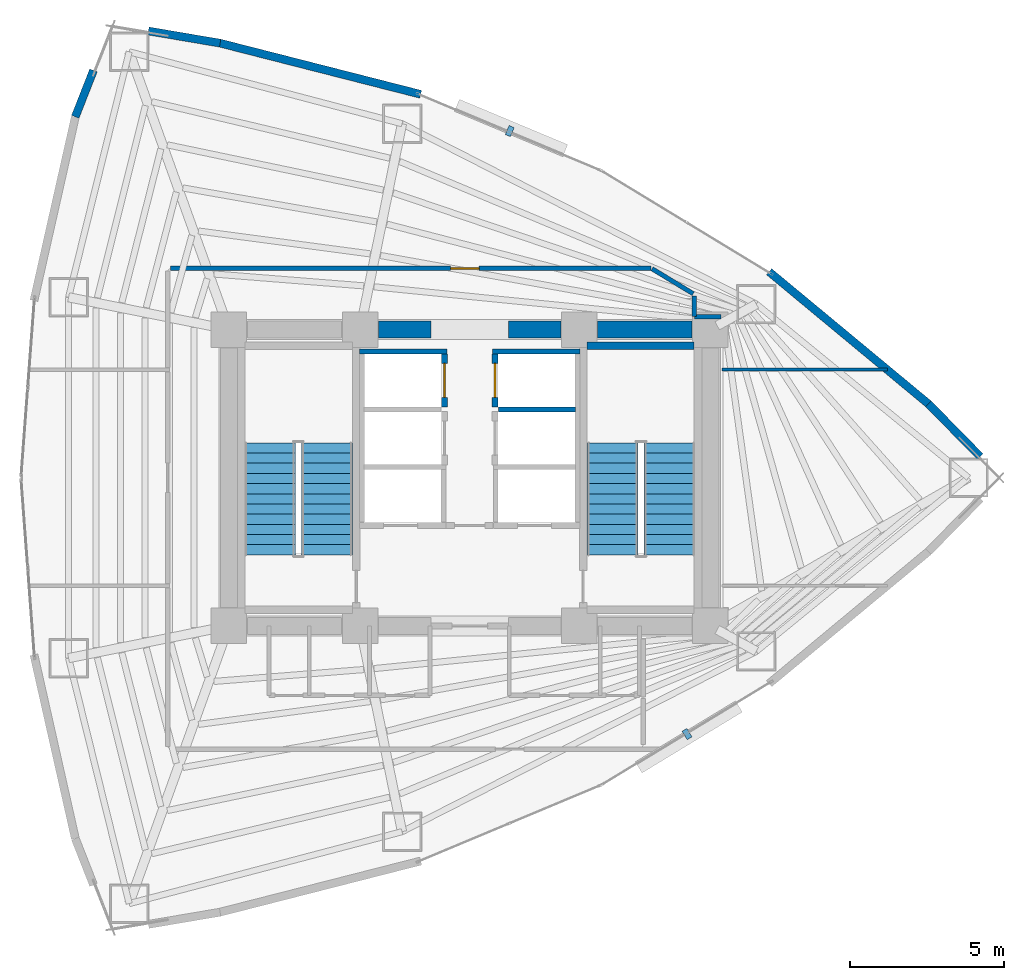
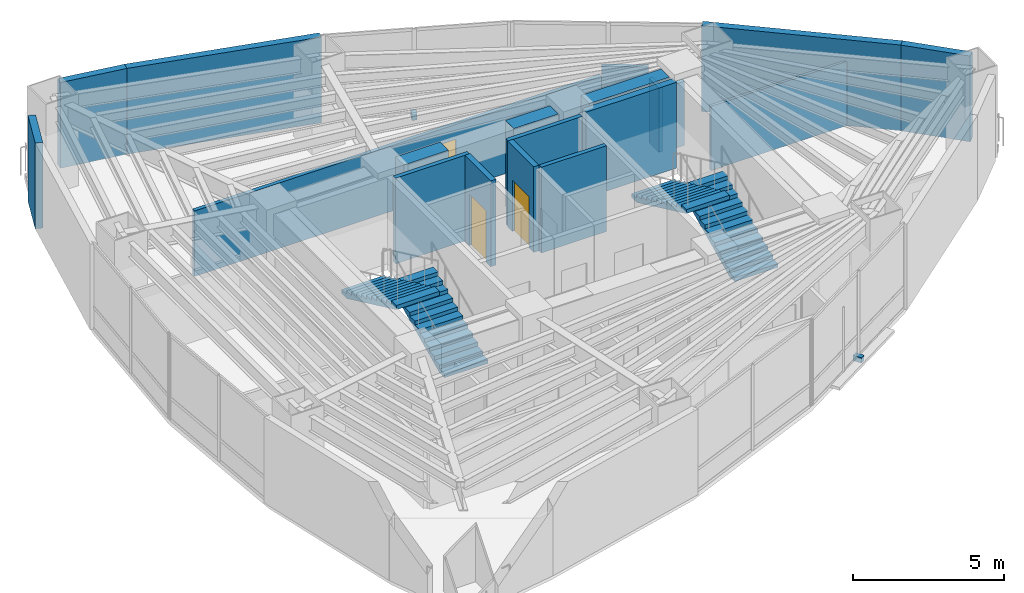
# One storey, part 16 of 18: 19 walls, 4 stair flights, 3 doors, 2 discrete accessories, 3 openings, 2 elements without a shape of their own.
"""IFC4 building model written with IfcOpenShell, lengths in metres."""

import ifcopenshell
import ifcopenshell.guid

model = None  # the IFC model being written
_history = None  # IfcOwnerHistory: only IFC2X3 demands one
_inside = {}  # id of a spatial element -> (the spatial element, [elements in it])
_under = {}  # id of a project, library or spatial element -> (it, [spatial elements below it])
_declared = {}  # id of a project -> (the project, [libraries it declares])
_typed = {}  # id of a type object -> (the type object, [elements of that type])
_made_of = {}  # id of a material, layer set ... -> (it, [elements and type objects made of it])


def new_model(schema):
    """Start an empty IFC model of exactly this schema.

    Asked for "IFC4X3", IfcOpenShell would pick the latest addendum, in which some entities
    have other attributes; the version numbers below select the first issue.
    IFC2X3 requires an IfcOwnerHistory on every rooted entity: one is made here for all.
    """
    global model, _history
    if schema == "IFC4X3":
        model = ifcopenshell.file(schema_version=(4, 3, 0, 0))
    else:
        model = ifcopenshell.file(schema=schema)
    _inside.clear()
    _under.clear()
    _declared.clear()
    _typed.clear()
    _made_of.clear()
    _history = None
    if model.schema == "IFC2X3":
        org = make("IfcOrganization", Name="unknown")
        user = make(
            "IfcPersonAndOrganization",
            ThePerson=make("IfcPerson", FamilyName="unknown"),
            TheOrganization=org,
        )
        app = make(
            "IfcApplication",
            ApplicationDeveloper=org,
            Version="unknown",
            ApplicationFullName="unknown",
            ApplicationIdentifier="unknown",
        )
        _history = make(
            "IfcOwnerHistory",
            OwningUser=user,
            OwningApplication=app,
            ChangeAction="ADDED",
            CreationDate=0,
        )
    return model


def make(cls, **values):
    """One entity of the class cls with the attributes given. An attribute that is None is left unset."""
    return model.create_entity(
        cls, **{name: value for name, value in values.items() if value is not None}
    )


def rooted(cls, **values):
    """An entity with a GlobalId (a new one), such as an element, a storey or a relation."""
    return make(cls, GlobalId=ifcopenshell.guid.new(), OwnerHistory=_history, **values)


def si_unit(unit_type, name, prefix=None):
    """IfcSIUnit, for example si_unit("LENGTHUNIT", "METRE", prefix="MILLI")."""
    return make("IfcSIUnit", UnitType=unit_type, Prefix=prefix, Name=name)


def assignment(units):
    """IfcUnitAssignment: the units of a project."""
    return None if units is None else make("IfcUnitAssignment", Units=units)


def point(xyz):
    """IfcCartesianPoint."""
    return None if xyz is None else make("IfcCartesianPoint", Coordinates=xyz)


def direction(xyz):
    """IfcDirection."""
    return None if xyz is None else make("IfcDirection", DirectionRatios=xyz)


def frame(location, z_axis=None, x_axis=None):
    """IfcAxis2Placement3D, a coordinate frame: its origin and axes. An axis left out is left unset."""
    return make(
        "IfcAxis2Placement3D",
        Location=point(location),
        Axis=direction(z_axis),
        RefDirection=direction(x_axis),
    )


def frame_2d(location, x_axis=None):
    """IfcAxis2Placement2D, a coordinate frame in the plane: its origin and x axis."""
    return make(
        "IfcAxis2Placement2D", Location=point(location), RefDirection=direction(x_axis)
    )


def origin():
    """The frame at (0, 0, 0) with its axes left unset."""
    return frame((0.0, 0.0, 0.0))


def origin_2d():
    """The frame at (0, 0) in the plane with its x axis left unset."""
    return frame_2d((0.0, 0.0))


def place(relative_to, where):
    """IfcLocalPlacement: puts the frame where relative to a parent placement (None: the world)."""
    return make(
        "IfcLocalPlacement", PlacementRelTo=relative_to, RelativePlacement=where
    )


def context(
    kind, dimensions, precision=None, world=None, true_north=None, identifier=None
):
    """IfcGeometricRepresentationContext, for example the 3D "Model" context."""
    return make(
        "IfcGeometricRepresentationContext",
        ContextIdentifier=identifier,
        ContextType=kind,
        CoordinateSpaceDimension=dimensions,
        Precision=precision,
        WorldCoordinateSystem=world,
        TrueNorth=true_north,
    )


def subcontext(parent, identifier, kind, view, scale=None):
    """IfcGeometricRepresentationSubContext, for example "Body" below "Model"."""
    return make(
        "IfcGeometricRepresentationSubContext",
        ContextIdentifier=identifier,
        ContextType=kind,
        ParentContext=parent,
        TargetScale=scale,
        TargetView=view,
    )


def project(units=None, contexts=None):
    """IfcProject with its units and contexts."""
    return rooted(
        "IfcProject",
        Name="project",
        RepresentationContexts=contexts,
        UnitsInContext=assignment(units),
    )


def spatial(cls, under=None, at=None, **own):
    """A site, building, storey or space (cls), placed at a placement, below another one or the project."""
    s = rooted(cls, ObjectPlacement=at, **own)
    if under is not None:
        _under.setdefault(under.id(), (under, []))[1].append(s)
    return s


def polyline(points):
    """IfcPolyline through the points."""
    return make("IfcPolyline", Points=[point(p) for p in points])


def profile(cls, at=None, kind="AREA", **sizes):
    """A parametric profile (cls). Its sizes go by their IFC names, for example OverallWidth=200.0."""
    return make(cls, ProfileType=kind, Position=at, **sizes)


def rectangle(**sizes):
    """IfcRectangleProfileDef."""
    return profile("IfcRectangleProfileDef", **sizes)


def outline(outer, holes=None, kind="AREA"):
    """IfcArbitraryClosedProfileDef: a profile drawn as a closed curve; with holes, ...WithVoids."""
    if holes is None:
        return make("IfcArbitraryClosedProfileDef", ProfileType=kind, OuterCurve=outer)
    return make(
        "IfcArbitraryProfileDefWithVoids",
        ProfileType=kind,
        OuterCurve=outer,
        InnerCurves=holes,
    )


def extrude(swept, where, along, depth):
    """IfcExtrudedAreaSolid: the profile swept, set in the frame where, extruded along a direction by depth."""
    return make(
        "IfcExtrudedAreaSolid",
        SweptArea=swept,
        Position=where,
        ExtrudedDirection=direction(along),
        Depth=depth,
    )


def shape(context_of_items, identifier, shape_type, items):
    """IfcShapeRepresentation: the items that make up one representation, for example the "Body"."""
    return make(
        "IfcShapeRepresentation",
        ContextOfItems=context_of_items,
        RepresentationIdentifier=identifier,
        RepresentationType=shape_type,
        Items=items,
    )


def material(Name=None, Category=None):
    """IfcMaterial."""
    return make("IfcMaterial", Name=Name, Category=Category)


def layer(
    of_material, thickness, ventilated=None, Name=None, Category=None, Priority=None
):
    """IfcMaterialLayer: one layer of a wall or slab, of a material (None: an air gap)."""
    return make(
        "IfcMaterialLayer",
        Material=of_material,
        LayerThickness=thickness,
        IsVentilated=ventilated,
        Name=Name,
        Category=Category,
        Priority=Priority,
    )


def layer_set(layers, Name=None):
    """IfcMaterialLayerSet."""
    return make("IfcMaterialLayerSet", MaterialLayers=layers, LayerSetName=Name)


def made_of(thing, what):
    """Note that an element or type object is made of a material, layer set ...; save() writes the relation."""
    if what is not None:
        _made_of.setdefault(what.id(), (what, []))[1].append(thing)
    return thing


def type_object(cls, material=None, **own):
    """A type object (cls), such as IfcWallType, which elements share."""
    return made_of(rooted(cls, **own), material)


def element(
    cls,
    number,
    at=None,
    inside=None,
    cuts=None,
    type_object=None,
    material=None,
    context=None,
    identifier="Body",
    shape_type=None,
    held_by="IfcProductDefinitionShape",
    body=None,
    shapes=None,
    **own,
):
    """One element of the class cls, such as IfcWall. Its Tag is "e" and its number.

    at: its placement. inside: the storey or other place that contains it. cuts: it is an
    opening in that element (IfcRelVoidsElement). A single representation is given by context,
    identifier, shape_type and body (its items); several are given by shapes. held_by: the class
    of the entity that holds the representations. save() writes the other relations.
    """
    e = rooted(cls, Tag="e%d" % number, ObjectPlacement=at, **own)
    if body is not None:
        shapes = [shape(context, identifier, shape_type, body)]
    if shapes is not None:
        e.Representation = make(held_by, Representations=shapes)
    if inside is not None:
        _inside.setdefault(inside.id(), (inside, []))[1].append(e)
    if cuts is not None:
        rooted(
            "IfcRelVoidsElement", RelatingBuildingElement=cuts, RelatedOpeningElement=e
        )
    if type_object is not None:
        _typed.setdefault(type_object.id(), (type_object, []))[1].append(e)
    return made_of(e, material)


def fill(opening, filler):
    """IfcRelFillsElement: the door or window that sits in an opening."""
    return rooted(
        "IfcRelFillsElement",
        RelatingOpeningElement=opening,
        RelatedBuildingElement=filler,
    )


def aggregate(whole, parts):
    """IfcRelAggregates: a whole, such as a stair, and the parts it consists of."""
    return rooted("IfcRelAggregates", RelatingObject=whole, RelatedObjects=parts)


def save(model, path):
    """Write the relations noted so far, then the file.

    IfcRelAggregates (storeys below a building ...), IfcRelContainedInSpatialStructure (elements
    in a storey), IfcRelDefinesByType, IfcRelAssociatesMaterial and IfcRelDeclares: one each for
    every whole, place, type object, material and project.
    """
    for whole, parts in _under.values():
        aggregate(whole, parts)
    for where, things in _inside.values():
        rooted(
            "IfcRelContainedInSpatialStructure",
            RelatedElements=things,
            RelatingStructure=where,
        )
    for kind, things in _typed.values():
        rooted("IfcRelDefinesByType", RelatedObjects=things, RelatingType=kind)
    for what, things in _made_of.values():
        rooted("IfcRelAssociatesMaterial", RelatedObjects=things, RelatingMaterial=what)
    for by, libraries in _declared.values():
        rooted("IfcRelDeclares", RelatingContext=by, RelatedDefinitions=libraries)
    model.write(path)


model = new_model("IFC4")

# Units and contexts
model_context = context("Model", 3, precision=1e-05, world=origin(), true_north=direction((0.0, 1.0)))
body_context = subcontext(model_context, "Body", "Model", "MODEL_VIEW")
ifc_project = project(units=[si_unit("LENGTHUNIT", "METRE"), si_unit("AREAUNIT", "SQUARE_METRE"), si_unit("VOLUMEUNIT", "CUBIC_METRE"), si_unit("PLANEANGLEUNIT", "RADIAN"), si_unit("MASSUNIT", "GRAM", prefix="KILO")], contexts=[model_context])

# Site, building, storey
site_placement = place(None, origin())
site = spatial("IfcSite", under=ifc_project, at=site_placement, CompositionType="ELEMENT")
building_placement = place(site_placement, origin())
building = spatial("IfcBuilding", under=site, at=building_placement, Name="Menara Vayukalpa", CompositionType="ELEMENT")
storey_placement = place(building_placement, frame((0.0, 0.0, 92.820068359375)))
storey = spatial("IfcBuildingStorey", under=building, at=storey_placement, Name="L22", CompositionType="ELEMENT", Elevation=92.820068359375)

# Walls
ifc_material_1 = material(Name="Concrete C60/75", Category="concrete")
ifc_layer_1 = layer(ifc_material_1, 0.550048828125)
ifc_layer_set_1 = layer_set([ifc_layer_1], Name="Concrete C60/75")
wall_type_1 = type_object("IfcWallType", Name="WAL-CW550", PredefinedType="SHEAR", material=ifc_layer_set_1)
wall_1_placement = place(storey_placement, frame((22.64501953125, 26.800048828125, 0.0), z_axis=(0.0, 0.0, 1.0), x_axis=(1.0, 0.0, 0.0)))
element("IfcWall", 1, at=wall_1_placement, inside=storey, type_object=wall_type_1, Name="L22 Buttressed Core Shear Wall CWN2", PredefinedType="SHEAR", context=body_context, shape_type="SweptSolid", body=[
    extrude(rectangle(XDim=1.705078125, YDim=0.550048828125, at=frame_2d((0.8525390625, 0.0))), origin(), (0.0, 0.0, 1.0), 3.469970703125),
])
wall_2_placement = place(storey_placement, frame((26.85009765625, 26.800048828125, 0.0), z_axis=(0.0, 0.0, 1.0), x_axis=(1.0, 0.0, 0.0)))
element("IfcWall", 2, at=wall_2_placement, inside=storey, type_object=wall_type_1, Name="L22 Buttressed Core Shear Wall CWN3", PredefinedType="SHEAR", context=body_context, shape_type="SweptSolid", body=[
    extrude(rectangle(XDim=1.704833984375, YDim=0.550048828125, at=frame_2d((0.8525390625, 0.0))), origin(), (0.0, 0.0, 1.0), 3.469970703125),
])
wall_3_placement = place(storey_placement, frame((29.7451171875, 26.800048828125, 0.0), z_axis=(0.0, 0.0, 1.0), x_axis=(1.0, 0.0, 0.0)))
element("IfcWall", 3, at=wall_3_placement, inside=storey, type_object=wall_type_1, Name="L22 Buttressed Core Shear Wall CWN4", PredefinedType="SHEAR", context=body_context, shape_type="SweptSolid", body=[
    extrude(rectangle(XDim=3.059814453125, YDim=0.550048828125, at=frame_2d((1.52978515625, 0.0))), origin(), (0.0, 0.0, 1.0), 3.469970703125),
])
ifc_material_2 = material(Name="Insulated Precast Concrete C40/50", Category="concrete")
ifc_layer_2 = layer(ifc_material_2, 0.260009765625)
ifc_layer_set_2 = layer_set([ifc_layer_2], Name="Insulated Precast Concrete C40/50")
wall_type_2 = type_object("IfcWallType", Name="WAL-EXT260", PredefinedType="PARTITIONING", material=ifc_layer_set_2)
wall_4_placement = place(storey_placement, frame((40.46337890625, 24.39208984375, 0.0), z_axis=(0.0, 0.0, 1.0), x_axis=(0.700603293449, -0.713550996922, 0.0)))
element("IfcWall", 4, at=wall_4_placement, inside=storey, type_object=wall_type_2, Name="L22 Perimeter Terracotta Pier Wall 02", PredefinedType="PARTITIONING", context=body_context, shape_type="SweptSolid", body=[
    extrude(rectangle(XDim=2.394775390625, YDim=0.260009765625, at=frame_2d((1.197265625, 0.0))), origin(), (0.0, 0.0, 1.0), 3.469970703125),
])
wall_5_placement = place(storey_placement, frame((35.30126953125, 28.672119140625, 0.0), z_axis=(0.0, 0.0, 1.0), x_axis=(0.76975316947, -0.638341646841, 0.0)))
element("IfcWall", 5, at=wall_5_placement, inside=storey, type_object=wall_type_2, Name="L22 Perimeter Terracotta Pier Wall 03", PredefinedType="PARTITIONING", context=body_context, shape_type="SweptSolid", body=[
    extrude(rectangle(XDim=6.718017578125, YDim=0.260009765625, at=frame_2d((3.35888671875, 0.0))), origin(), (0.0, 0.0, 1.0), 3.469970703125),
])
wall_6_placement = place(storey_placement, frame((17.504638671875, 36.08056640625, 0.0), z_axis=(0.0, 0.0, 1.0), x_axis=(0.968981437296, -0.247133514876, 0.0)))
element("IfcWall", 6, at=wall_6_placement, inside=storey, type_object=wall_type_2, Name="L22 Perimeter Terracotta Pier Wall 06", PredefinedType="PARTITIONING", context=body_context, shape_type="SweptSolid", body=[
    extrude(rectangle(XDim=6.717529296875, YDim=0.260009765625, at=frame_2d((3.35888671875, 0.0))), origin(), (0.0, 0.0, 1.0), 3.469970703125),
])
wall_7_placement = place(storey_placement, frame((15.19287109375, 36.472412109375, 0.0), z_axis=(0.0, 0.0, 1.0), x_axis=(0.985905269947, -0.167304508875, 0.0)))
element("IfcWall", 7, at=wall_7_placement, inside=storey, type_object=wall_type_2, Name="L22 Perimeter Terracotta Pier Wall 07", PredefinedType="PARTITIONING", context=body_context, shape_type="SweptSolid", body=[
    extrude(rectangle(XDim=2.356689453125, YDim=0.260009765625, at=frame_2d((1.17822265625, 0.0))), origin(), (0.0, 0.0, 1.0), 3.469970703125),
])
wall_8_placement = place(storey_placement, frame((12.822021484375, 33.69140625, 0.0), z_axis=(0.0, 0.0, 1.0), x_axis=(0.365488551504, 0.930815835018, 0.0)))
element("IfcWall", 8, at=wall_8_placement, inside=storey, type_object=wall_type_2, Name="L22 Perimeter Terracotta Pier Wall 08", PredefinedType="PARTITIONING", context=body_context, shape_type="SweptSolid", body=[
    extrude(rectangle(XDim=1.61376953125, YDim=0.260009765625, at=frame_2d((0.806884765625, 0.0))), origin(), (0.0, 0.0, 1.0), 3.469970703125),
])
ifc_material_3 = material(Name="Lightweight Concrete Blockwork C16/20", Category="masonry")
ifc_layer_3 = layer(ifc_material_3, 0.159912109375)
ifc_layer_set_3 = layer_set([ifc_layer_3], Name="Lightweight Concrete Blockwork C16/20")
wall_type_3 = type_object("IfcWallType", Name="WAL-FR150", PredefinedType="PARTITIONING", material=ifc_layer_set_3)
wall_9_placement = place(storey_placement, frame((22.030029296875, 26.0849609375, 0.0), z_axis=(0.0, 0.0, 1.0), x_axis=(1.0, 0.0, 0.0)))
element("IfcWall", 9, at=wall_9_placement, inside=storey, type_object=wall_type_3, Name="L22 Interior Partition IW-L22-SHM-W3N", PredefinedType="PARTITIONING", context=body_context, shape_type="SweptSolid", body=[
    extrude(rectangle(XDim=2.830078125, YDim=0.159912109375, at=frame_2d((1.4150390625, 0.0))), origin(), (0.0, 0.0, 1.0), 3.469970703125),
])
wall_10_placement = place(storey_placement, frame((26.530029296875, 24.215087890625, 0.0), z_axis=(0.0, 0.0, 1.0), x_axis=(1.0, 0.0, 0.0)))
element("IfcWall", 10, at=wall_10_placement, inside=storey, type_object=wall_type_3, Name="L22 Interior Partition IW-L22-SHM-E32", PredefinedType="PARTITIONING", context=body_context, shape_type="SweptSolid", body=[
    extrude(rectangle(XDim=2.489990234375, YDim=0.159912109375, at=frame_2d((1.2451171875, 0.0))), origin(), (0.0, 0.0, 1.0), 3.469970703125),
])
wall_11_placement = place(storey_placement, frame((26.340087890625, 26.0849609375, 0.0), z_axis=(0.0, 0.0, 1.0), x_axis=(1.0, 0.0, 0.0)))
element("IfcWall", 11, at=wall_11_placement, inside=storey, type_object=wall_type_3, Name="L22 Interior Partition IW-L22-SHM-E2N", PredefinedType="PARTITIONING", context=body_context, shape_type="SweptSolid", body=[
    extrude(rectangle(XDim=2.829833984375, YDim=0.159912109375, at=frame_2d((1.4150390625, 0.0))), origin(), (0.0, 0.0, 1.0), 3.469970703125),
])

# Wall, opening, door
ifc_material_4 = material(Name="Lightweight Concrete Blockwork C16/20", Category="masonry")
ifc_layer_4 = layer(ifc_material_4, 0.199951171875)
ifc_layer_set_4 = layer_set([ifc_layer_4], Name="Lightweight Concrete Blockwork C16/20")
wall_type_4 = type_object("IfcWallType", Name="WAL-FR200", PredefinedType="PARTITIONING", material=ifc_layer_set_4)
wall_12_placement = place(storey_placement, frame((24.780029296875, 24.2900390625, 0.0), z_axis=(0.0, 0.0, 1.0), x_axis=(0.0, 1.0, 0.0)))
wall_12 = element("IfcWall", 12, at=wall_12_placement, inside=storey, type_object=wall_type_4, Name="L22 Interior Partition IW-L22-SH-W3", PredefinedType="PARTITIONING", context=body_context, shape_type="SweptSolid", body=[
    extrude(rectangle(XDim=1.719970703125, YDim=0.199951171875, at=frame_2d((0.85986328125, 0.0))), origin(), (0.0, 0.0, 1.0), 3.469970703125),
])
opening_1_placement = place(wall_12_placement, frame((0.31005859375, 0.0, 0.0)))
opening_1 = element("IfcOpeningElement", 13, at=opening_1_placement, cuts=wall_12, Name="Opening LD1", PredefinedType="OPENING", context=body_context, shape_type="SweptSolid", body=[
    extrude(rectangle(XDim=1.10009765625, YDim=2.080078125, at=frame_2d((0.550048828125, 1.0400390625))), frame((0.0, 0.10986328125, 0.0), z_axis=(0.0, -1.0, 0.0), x_axis=(1.0, 0.0, 0.0)), (0.0, 0.0, 1.0), 0.219970703125),
])
ifc_material_5 = material(Name="Brushed Stainless Steel 316 Lift Door", Category="steel")
door_type_1 = type_object("IfcDoorType", Name="DR-LD110", OperationType="NOTDEFINED", PredefinedType="DOOR", material=ifc_material_5)
door_1_placement = place(opening_1_placement, origin())
door_1 = element("IfcDoor", 14, at=door_1_placement, inside=storey, type_object=door_type_1, Name="L22 Interior Door DR-L22-LD-W3", OperationType="DOUBLE_DOOR_SLIDING", OverallHeight=2.080078125, OverallWidth=1.10009765625, PredefinedType="DOOR", context=body_context, shape_type="SweptSolid", body=[
    extrude(rectangle(XDim=1.10009765625, YDim=2.080078125, at=frame_2d((0.550048828125, 1.0400390625))), frame((0.0, 0.02490234375, 0.0), z_axis=(0.0, -1.0, 0.0), x_axis=(1.0, 0.0, 0.0)), (0.0, 0.0, 1.0), 0.050048828125),
])
fill(opening_1, door_1)

wall_13_placement = place(storey_placement, frame((26.419921875, 24.2900390625, 0.0), z_axis=(0.0, 0.0, 1.0), x_axis=(0.0, 1.0, 0.0)))
wall_13 = element("IfcWall", 15, at=wall_13_placement, inside=storey, type_object=wall_type_4, Name="L22 Interior Partition IW-L22-SH-E2", PredefinedType="PARTITIONING", context=body_context, shape_type="SweptSolid", body=[
    extrude(rectangle(XDim=1.719970703125, YDim=0.199951171875, at=frame_2d((0.85986328125, 0.0))), origin(), (0.0, 0.0, 1.0), 3.469970703125),
])
opening_2_placement = place(wall_13_placement, frame((0.31005859375, 0.0, 0.0)))
opening_2 = element("IfcOpeningElement", 16, at=opening_2_placement, cuts=wall_13, Name="Opening LD1", PredefinedType="OPENING", context=body_context, shape_type="SweptSolid", body=[
    extrude(rectangle(XDim=1.10009765625, YDim=2.080078125, at=frame_2d((0.550048828125, 1.0400390625))), frame((0.0, 0.10986328125, 0.0), z_axis=(0.0, -1.0, 0.0), x_axis=(1.0, 0.0, 0.0)), (0.0, 0.0, 1.0), 0.219970703125),
])
door_2_placement = place(opening_2_placement, origin())
door_2 = element("IfcDoor", 17, at=door_2_placement, inside=storey, type_object=door_type_1, Name="L22 Interior Door DR-L22-LD-E2", OperationType="DOUBLE_DOOR_SLIDING", OverallHeight=2.080078125, OverallWidth=1.10009765625, PredefinedType="DOOR", context=body_context, shape_type="SweptSolid", body=[
    extrude(rectangle(XDim=1.10009765625, YDim=2.080078125, at=frame_2d((0.550048828125, 1.0400390625))), frame((0.0, 0.02490234375, 0.0), z_axis=(0.0, -1.0, 0.0), x_axis=(1.0, 0.0, 0.0)), (0.0, 0.0, 1.0), 0.050048828125),
])
fill(opening_2, door_2)

# Walls
ifc_material_6 = material(Name="Glazed Demountable Office Partition", Category="glass")
ifc_layer_5 = layer(ifc_material_6, 0.094970703125)
ifc_layer_set_5 = layer_set([ifc_layer_5], Name="Glazed Demountable Office Partition")
wall_type_5 = type_object("IfcWallType", Name="WAL-PT100", PredefinedType="PARTITIONING", material=ifc_layer_set_5)
wall_14_placement = place(storey_placement, frame((33.77001953125, 25.5, 0.0), z_axis=(0.0, 0.0, 1.0), x_axis=(1.0, 0.0, 0.0)))
element("IfcWall", 18, at=wall_14_placement, inside=storey, type_object=wall_type_5, Name="L22 Interior Partition IW-L22-RDIV04", PredefinedType="PARTITIONING", context=body_context, shape_type="SweptSolid", body=[
    extrude(rectangle(XDim=5.3720703125, YDim=0.094970703125, at=frame_2d((2.68603515625, 0.0))), origin(), (0.0, 0.0, 1.0), 2.599853515625),
])
ifc_material_7 = material(Name="Gypsum Drywall Acoustic Stud Assembly", Category="masonry")
ifc_layer_6 = layer(ifc_material_7, 0.14501953125)
ifc_layer_set_6 = layer_set([ifc_layer_6], Name="Gypsum Drywall Acoustic Stud Assembly")
wall_type_6 = type_object("IfcWallType", Name="WAL-PT150", PredefinedType="PARTITIONING", material=ifc_layer_set_6)
wall_15_placement = place(storey_placement, frame((33.739990234375, 27.219970703125, 0.0), z_axis=(0.0, 0.0, 1.0), x_axis=(-1.0, 0.0, 0.0)))
element("IfcWall", 19, at=wall_15_placement, inside=storey, type_object=wall_type_6, Name="L22 Interior Partition IW-L22-CRM04-1", PredefinedType="PARTITIONING", context=body_context, shape_type="SweptSolid", body=[
    extrude(rectangle(XDim=0.860107421875, YDim=0.14501953125, at=frame_2d((0.43017578125, 0.0))), origin(), (0.0, 0.0, 1.0), 2.599853515625),
])
wall_16_placement = place(storey_placement, frame((32.8798828125, 27.219970703125, 0.0), z_axis=(0.0, 0.0, 1.0), x_axis=(0.0, 1.0, 0.0)))
element("IfcWall", 20, at=wall_16_placement, inside=storey, type_object=wall_type_6, Name="L22 Interior Partition IW-L22-CRM04-2", PredefinedType="PARTITIONING", context=body_context, shape_type="SweptSolid", body=[
    extrude(rectangle(XDim=0.671142578125, YDim=0.14501953125, at=frame_2d((0.33544921875, 0.0))), origin(), (0.0, 0.0, 1.0), 2.599853515625),
])
wall_17_placement = place(storey_placement, frame((32.841552734375, 27.959716796875, 0.0), z_axis=(0.0, 0.0, 1.0), x_axis=(-0.854742818792, 0.519051744745, 0.0)))
element("IfcWall", 21, at=wall_17_placement, inside=storey, type_object=wall_type_6, Name="L22 Interior Partition IW-L22-CRM04-3", PredefinedType="PARTITIONING", context=body_context, shape_type="SweptSolid", body=[
    extrude(rectangle(XDim=1.557861328125, YDim=0.14501953125, at=frame_2d((0.77880859375, 0.0))), origin(), (0.0, 0.0, 1.0), 3.050048828125),
])

# Wall, opening, door
wall_18_placement = place(storey_placement, frame((31.468505859375, 28.780029296875, 0.0), z_axis=(0.0, 0.0, 1.0), x_axis=(-1.0, 0.0, 0.0)))
wall_18 = element("IfcWall", 22, at=wall_18_placement, inside=storey, type_object=wall_type_6, Name="L22 Interior Partition IW-L22-CRM04-4", PredefinedType="PARTITIONING", context=body_context, shape_type="SweptSolid", body=[
    extrude(rectangle(XDim=15.568603515625, YDim=0.14501953125, at=frame_2d((7.7841796875, 0.0))), origin(), (0.0, 0.0, 1.0), 2.64990234375),
])
opening_3_placement = place(wall_18_placement, frame((5.563232421875, 0.0, 0.0)))
opening_3 = element("IfcOpeningElement", 23, at=opening_3_placement, cuts=wall_18, Name="Opening ID6", PredefinedType="OPENING", context=body_context, shape_type="SweptSolid", body=[
    extrude(rectangle(XDim=0.919921875, YDim=2.050048828125, at=frame_2d((0.4599609375, 1.02490234375))), frame((0.0, 0.08251953125, 0.0), z_axis=(0.0, -1.0, 0.0), x_axis=(1.0, 0.0, 0.0)), (0.0, 0.0, 1.0), 0.1650390625),
])
ifc_material_8 = material(Name="Acoustic Hardwood Veneer Timber Door", Category="wood")
door_type_2 = type_object("IfcDoorType", Name="DR-INT92", OperationType="NOTDEFINED", PredefinedType="DOOR", material=ifc_material_8)
door_3_placement = place(opening_3_placement, origin())
door_3 = element("IfcDoor", 24, at=door_3_placement, inside=storey, type_object=door_type_2, Name="L22 Interior Door DR-L22-RM04", OperationType="SINGLE_SWING_RIGHT", OverallHeight=2.050048828125, OverallWidth=0.919921875, PredefinedType="DOOR", context=body_context, shape_type="SweptSolid", body=[
    extrude(rectangle(XDim=0.919921875, YDim=2.050048828125, at=frame_2d((0.4599609375, 1.02490234375))), frame((0.0, 0.02490234375, 0.0), z_axis=(0.0, -1.0, 0.0), x_axis=(1.0, 0.0, 0.0)), (0.0, 0.0, 1.0), 0.050048828125),
])
fill(opening_3, door_3)

# Wall
ifc_material_9 = material(Name="Concrete C50/60", Category="concrete")
ifc_layer_7 = layer(ifc_material_9, 0.25)
ifc_layer_set_7 = layer_set([ifc_layer_7], Name="Concrete C50/60")
wall_type_7 = type_object("IfcWallType", Name="WAL-SW250", PredefinedType="SHEAR", material=ifc_layer_set_7)
wall_19_placement = place(storey_placement, frame((29.39990234375, 26.27490234375, 0.0), z_axis=(0.0, 0.0, 1.0), x_axis=(1.0, 0.0, 0.0)))
element("IfcWall", 25, at=wall_19_placement, inside=storey, type_object=wall_type_7, Name="L22 ST2 Structural Stair Shaft Wall N", PredefinedType="SHEAR", context=body_context, shape_type="SweptSolid", body=[
    extrude(rectangle(XDim=3.47119140625, YDim=0.25, at=frame_2d((1.735595703125, 0.0))), origin(), (0.0, 0.0, 1.0), 3.469970703125),
])

# Stair, stair flights
ifc_material_10 = material(Name="Precast Concrete C40/50", Category="concrete")
stair_type = type_object("IfcStairType", Name="STR-T04", PredefinedType="DOUBLE_RETURN_STAIR", material=ifc_material_10)
stair_1_placement = place(storey_placement, origin())
stair_1 = element("IfcStair", 26, at=stair_1_placement, inside=storey, type_object=stair_type, Name="L22 Core Exit Stair ST-1", PredefinedType="DOUBLE_RETURN_STAIR")
ifc_material_11 = material(Name="Precast Concrete C40/50", Category="concrete")
stair_flight_type = type_object("IfcStairFlightType", Name="STF-T04", PredefinedType="STRAIGHT", material=ifc_material_11)
stair_flight_1_placement = place(storey_placement, frame((20.97509765625, 19.5, 0.0), z_axis=(0.0, 0.0, 1.0), x_axis=(0.0, 1.0, 0.0)))
stair_flight_1 = element("IfcStairFlight", 27, at=stair_flight_1_placement, type_object=stair_flight_type, Name="ST-1 flight 1", NumberOfRisers=12, NumberOfTreads=11, PredefinedType="STRAIGHT", RiserHeight=0.155, TreadLength=0.33, context=body_context, shape_type="SweptSolid", body=[
    extrude(outline(polyline([(0.0, 0.0), (0.0, 0.155029296875), (0.330078125, 0.155029296875), (0.330078125, 0.31005859375), (0.659912109375, 0.31005859375), (0.659912109375, 0.465087890625), (0.989990234375, 0.465087890625), (0.989990234375, 0.6201171875), (1.320068359375, 0.6201171875), (1.320068359375, 0.77490234375), (1.64990234375, 0.77490234375), (1.64990234375, 0.929931640625), (1.97998046875, 0.929931640625), (1.97998046875, 1.0849609375), (2.31005859375, 1.0849609375), (2.31005859375, 1.239990234375), (2.639892578125, 1.239990234375), (2.639892578125, 1.39501953125), (2.969970703125, 1.39501953125), (2.969970703125, 1.550048828125), (3.300048828125, 1.550048828125), (3.300048828125, 1.705078125), (3.6298828125, 1.705078125), (3.6298828125, 1.860107421875), (3.6298828125, 1.539306640625), (0.3525390625, 0.0), (0.0, 0.0)])), frame((0.0, 0.824951171875, 0.0), z_axis=(0.0, -1.0, 0.0), x_axis=(1.0, 0.0, 0.0)), (0.0, 0.0, 1.0), 1.64990234375),
])
stair_flight_2_placement = place(storey_placement, frame((19.125, 23.1298828125, 1.85986328125), z_axis=(0.0, 0.0, 1.0), x_axis=(0.0, -1.0, 0.0)))
stair_flight_2 = element("IfcStairFlight", 28, at=stair_flight_2_placement, type_object=stair_flight_type, Name="ST-1 flight 2", NumberOfRisers=12, NumberOfTreads=11, PredefinedType="STRAIGHT", RiserHeight=0.155, TreadLength=0.33, context=body_context, shape_type="SweptSolid", body=[
    extrude(outline(polyline([(0.0, 0.0), (0.0, 0.155029296875), (0.330078125, 0.155029296875), (0.330078125, 0.31005859375), (0.659912109375, 0.31005859375), (0.659912109375, 0.465087890625), (0.989990234375, 0.465087890625), (0.989990234375, 0.6201171875), (1.320068359375, 0.6201171875), (1.320068359375, 0.77490234375), (1.64990234375, 0.77490234375), (1.64990234375, 0.929931640625), (1.97998046875, 0.929931640625), (1.97998046875, 1.0849609375), (2.31005859375, 1.0849609375), (2.31005859375, 1.239990234375), (2.639892578125, 1.239990234375), (2.639892578125, 1.39501953125), (2.969970703125, 1.39501953125), (2.969970703125, 1.550048828125), (3.300048828125, 1.550048828125), (3.300048828125, 1.705078125), (3.6298828125, 1.705078125), (3.6298828125, 1.860107421875), (3.6298828125, 1.539306640625), (0.3525390625, 0.0), (0.0, 0.0)])), frame((0.0, 0.824951171875, 0.0), z_axis=(0.0, -1.0, 0.0), x_axis=(1.0, 0.0, 0.0)), (0.0, 0.0, 1.0), 1.64990234375),
])
aggregate(stair_1, [stair_flight_1, stair_flight_2])

stair_2_placement = place(storey_placement, origin())
stair_2 = element("IfcStair", 29, at=stair_2_placement, inside=storey, type_object=stair_type, Name="L22 Core Exit Stair ST-2", PredefinedType="DOUBLE_RETURN_STAIR")
stair_flight_3_placement = place(storey_placement, frame((32.074951171875, 19.5, 0.0), z_axis=(0.0, 0.0, 1.0), x_axis=(0.0, 1.0, 0.0)))
stair_flight_3 = element("IfcStairFlight", 30, at=stair_flight_3_placement, type_object=stair_flight_type, Name="ST-2 flight 1", NumberOfRisers=12, NumberOfTreads=11, PredefinedType="STRAIGHT", RiserHeight=0.155, TreadLength=0.33, context=body_context, shape_type="SweptSolid", body=[
    extrude(outline(polyline([(0.0, 0.0), (0.0, 0.155029296875), (0.330078125, 0.155029296875), (0.330078125, 0.31005859375), (0.659912109375, 0.31005859375), (0.659912109375, 0.465087890625), (0.989990234375, 0.465087890625), (0.989990234375, 0.6201171875), (1.320068359375, 0.6201171875), (1.320068359375, 0.77490234375), (1.64990234375, 0.77490234375), (1.64990234375, 0.929931640625), (1.97998046875, 0.929931640625), (1.97998046875, 1.0849609375), (2.31005859375, 1.0849609375), (2.31005859375, 1.239990234375), (2.639892578125, 1.239990234375), (2.639892578125, 1.39501953125), (2.969970703125, 1.39501953125), (2.969970703125, 1.550048828125), (3.300048828125, 1.550048828125), (3.300048828125, 1.705078125), (3.6298828125, 1.705078125), (3.6298828125, 1.860107421875), (3.6298828125, 1.539306640625), (0.3525390625, 0.0), (0.0, 0.0)])), frame((0.0, 0.824951171875, 0.0), z_axis=(0.0, -1.0, 0.0), x_axis=(1.0, 0.0, 0.0)), (0.0, 0.0, 1.0), 1.64990234375),
])
stair_flight_4_placement = place(storey_placement, frame((30.22509765625, 23.1298828125, 1.85986328125), z_axis=(0.0, 0.0, 1.0), x_axis=(0.0, -1.0, 0.0)))
stair_flight_4 = element("IfcStairFlight", 31, at=stair_flight_4_placement, type_object=stair_flight_type, Name="ST-2 flight 2", NumberOfRisers=12, NumberOfTreads=11, PredefinedType="STRAIGHT", RiserHeight=0.155, TreadLength=0.33, context=body_context, shape_type="SweptSolid", body=[
    extrude(outline(polyline([(0.0, 0.0), (0.0, 0.155029296875), (0.330078125, 0.155029296875), (0.330078125, 0.31005859375), (0.659912109375, 0.31005859375), (0.659912109375, 0.465087890625), (0.989990234375, 0.465087890625), (0.989990234375, 0.6201171875), (1.320068359375, 0.6201171875), (1.320068359375, 0.77490234375), (1.64990234375, 0.77490234375), (1.64990234375, 0.929931640625), (1.97998046875, 0.929931640625), (1.97998046875, 1.0849609375), (2.31005859375, 1.0849609375), (2.31005859375, 1.239990234375), (2.639892578125, 1.239990234375), (2.639892578125, 1.39501953125), (2.969970703125, 1.39501953125), (2.969970703125, 1.550048828125), (3.300048828125, 1.550048828125), (3.300048828125, 1.705078125), (3.6298828125, 1.705078125), (3.6298828125, 1.860107421875), (3.6298828125, 1.539306640625), (0.3525390625, 0.0), (0.0, 0.0)])), frame((0.0, 0.824951171875, 0.0), z_axis=(0.0, -1.0, 0.0), x_axis=(1.0, 0.0, 0.0)), (0.0, 0.0, 1.0), 1.64990234375),
])
aggregate(stair_2, [stair_flight_3, stair_flight_4])

# Discrete accessories
ifc_material_12 = material(Name="Stainless Steel 316 Sunshade Bracket", Category="steel")
discrete_accessory_type = type_object("IfcDiscreteAccessoryType", Name="ACC-BRK1", PredefinedType="BRACKET", material=ifc_material_12)
for number, where, z_axis, x_axis, name in (
    (32, (26.898193359375, 33.22900390625, -0.16015625), (0.0, 0.0, 1.0), (-0.922544824647, 0.385889940938, 0.0), "L22 Terracotta Sunshade Bracket 05"),
    (33, (32.6416015625, 13.69580078125, -0.16015625), (0.0, 0.0, 1.0), (0.85466730962, 0.519176068272, 0.0), "L22 Terracotta Sunshade Bracket 17"),
):
    element("IfcDiscreteAccessory", number, at=place(storey_placement, frame(where, z_axis=z_axis, x_axis=x_axis)), inside=storey, type_object=discrete_accessory_type, Name=name, PredefinedType="BRACKET", context=body_context, shape_type="SweptSolid", body=[
        extrude(rectangle(XDim=0.179931640625, YDim=0.320068359375, at=origin_2d()), origin(), (0.0, 0.0, 1.0), 0.219970703125),
    ])

save(model, "model.ifc")
